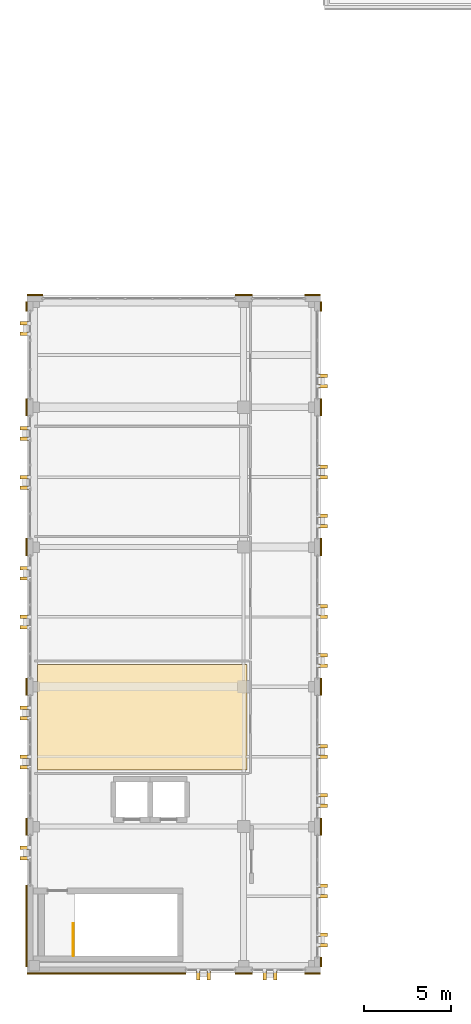
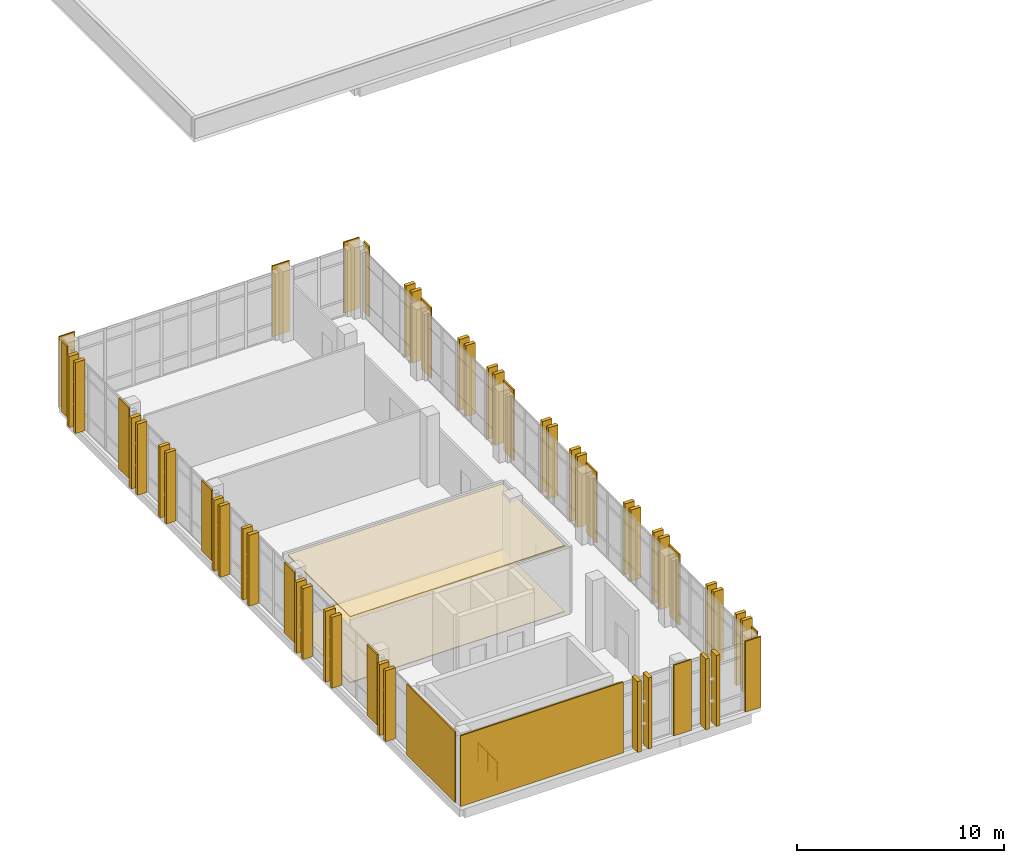
# One storey, part 42 of 48: 58 coverings, 1 railing.
"""IFC4 building model written with IfcOpenShell, lengths in metres."""

from ifc_helpers import new_model, si_unit, direction, frame, origin, origin_2d, place, context, subcontext, project, spatial, polyline, rectangle, circle, outline, extrude, material, layer, layer_set, type_object, element, save


model = new_model("IFC4")

# Units and contexts
model_context = context("Model", 3, precision=1e-05, world=origin(), true_north=direction((0.0, 1.0)))
body_context = subcontext(model_context, "Body", "Model", "MODEL_VIEW")
ifc_project = project(units=[si_unit("LENGTHUNIT", "METRE"), si_unit("AREAUNIT", "SQUARE_METRE"), si_unit("VOLUMEUNIT", "CUBIC_METRE"), si_unit("PLANEANGLEUNIT", "RADIAN"), si_unit("MASSUNIT", "GRAM", prefix="KILO")], contexts=[model_context])

# Site, building, storey
site_placement = place(None, origin())
site = spatial("IfcSite", under=ifc_project, at=site_placement, CompositionType="ELEMENT")
building_placement = place(site_placement, origin())
building = spatial("IfcBuilding", under=site, at=building_placement, Name="Qalavern Law Courts", CompositionType="ELEMENT")
storey_placement = place(building_placement, frame((0.0, 0.0, 31.199951171875)))
storey = spatial("IfcBuildingStorey", under=building, at=storey_placement, Name="L07", CompositionType="ELEMENT", Elevation=31.199951171875)

# Coverings
ifc_material_1 = material(Name="Precast concrete C40/50", Category="concrete")
ifc_layer_1 = layer(ifc_material_1, 0.199951171875)
ifc_layer_set_1 = layer_set([ifc_layer_1], Name="Precast concrete C40/50")
covering_type_1 = type_object("IfcCoveringType", Name="ENV-BLD-1", PredefinedType="CLADDING", material=ifc_layer_set_1)
for number, where, z_axis, x_axis, name in (
    (1, (11.800048828125, 40.887451171875, 0.005126953125), (0.0, 0.0, 1.0), (0.0, -1.0, 0.0), "Absheron stone facade blade 0497"),
    (2, (12.39990234375, 40.887451171875, 0.005126953125), (0.0, 0.0, 1.0), (0.0, -1.0, 0.0), "Absheron stone facade blade 0498"),
    (3, (15.60009765625, 40.887451171875, 0.005126953125), (0.0, 0.0, 1.0), (0.0, -1.0, 0.0), "Absheron stone facade blade 0499"),
    (4, (16.199951171875, 40.887451171875, 0.005126953125), (0.0, 0.0, 1.0), (0.0, -1.0, 0.0), "Absheron stone facade blade 0500"),
    (5, (18.9326171875, 42.6201171875, 0.005126953125), (0.0, 0.0, 1.0), (1.0, 0.0, 0.0), "Absheron stone facade blade 0501"),
    (6, (18.9326171875, 43.219970703125, 0.005126953125), (0.0, 0.0, 1.0), (1.0, 0.0, 0.0), "Absheron stone facade blade 0502"),
    (7, (18.9326171875, 45.419921875, 0.005126953125), (0.0, 0.0, 1.0), (1.0, 0.0, 0.0), "Absheron stone facade blade 0503"),
    (8, (18.9326171875, 46.02001953125, 0.005126953125), (0.0, 0.0, 1.0), (1.0, 0.0, 0.0), "Absheron stone facade blade 0504"),
    (9, (18.9326171875, 50.60009765625, 0.005126953125), (0.0, 0.0, 1.0), (1.0, 0.0, 0.0), "Absheron stone facade blade 0505"),
    (10, (18.9326171875, 51.199951171875, 0.005126953125), (0.0, 0.0, 1.0), (1.0, 0.0, 0.0), "Absheron stone facade blade 0506"),
    (11, (18.9326171875, 53.39990234375, 0.005126953125), (0.0, 0.0, 1.0), (1.0, 0.0, 0.0), "Absheron stone facade blade 0507"),
    (12, (18.9326171875, 54.0, 0.005126953125), (0.0, 0.0, 1.0), (1.0, 0.0, 0.0), "Absheron stone facade blade 0508"),
    (13, (18.9326171875, 58.60009765625, 0.005126953125), (0.0, 0.0, 1.0), (1.0, 0.0, 0.0), "Absheron stone facade blade 0509"),
    (14, (18.9326171875, 59.199951171875, 0.005126953125), (0.0, 0.0, 1.0), (1.0, 0.0, 0.0), "Absheron stone facade blade 0510"),
    (15, (18.9326171875, 61.39990234375, 0.005126953125), (0.0, 0.0, 1.0), (1.0, 0.0, 0.0), "Absheron stone facade blade 0511"),
    (16, (18.9326171875, 62.0, 0.005126953125), (0.0, 0.0, 1.0), (1.0, 0.0, 0.0), "Absheron stone facade blade 0512"),
    (17, (18.9326171875, 66.60009765625, 0.005126953125), (0.0, 0.0, 1.0), (1.0, 0.0, 0.0), "Absheron stone facade blade 0513"),
    (18, (18.9326171875, 67.199951171875, 0.005126953125), (0.0, 0.0, 1.0), (1.0, 0.0, 0.0), "Absheron stone facade blade 0514"),
    (19, (18.9326171875, 69.39990234375, 0.005126953125), (0.0, 0.0, 1.0), (1.0, 0.0, 0.0), "Absheron stone facade blade 0515"),
    (20, (18.9326171875, 70.0, 0.005126953125), (0.0, 0.0, 1.0), (1.0, 0.0, 0.0), "Absheron stone facade blade 0516"),
    (21, (18.9326171875, 74.60009765625, 0.005126953125), (0.0, 0.0, 1.0), (1.0, 0.0, 0.0), "Absheron stone facade blade 0517"),
    (22, (18.9326171875, 75.199951171875, 0.005126953125), (0.0, 0.0, 1.0), (1.0, 0.0, 0.0), "Absheron stone facade blade 0518"),
    (23, (1.867431640625, 78.199951171875, 0.005126953125), (0.0, 0.0, 1.0), (-1.0, 0.0, 0.0), "Absheron stone facade blade 0519"),
    (24, (1.867431640625, 77.60009765625, 0.005126953125), (0.0, 0.0, 1.0), (-1.0, 0.0, 0.0), "Absheron stone facade blade 0520"),
    (25, (1.867431640625, 72.199951171875, 0.005126953125), (0.0, 0.0, 1.0), (-1.0, 0.0, 0.0), "Absheron stone facade blade 0521"),
    (26, (1.867431640625, 71.60009765625, 0.005126953125), (0.0, 0.0, 1.0), (-1.0, 0.0, 0.0), "Absheron stone facade blade 0522"),
    (27, (1.867431640625, 69.39990234375, 0.005126953125), (0.0, 0.0, 1.0), (-1.0, 0.0, 0.0), "Absheron stone facade blade 0523"),
    (28, (1.867431640625, 68.800048828125, 0.005126953125), (0.0, 0.0, 1.0), (-1.0, 0.0, 0.0), "Absheron stone facade blade 0524"),
    (29, (1.867431640625, 64.199951171875, 0.005126953125), (0.0, 0.0, 1.0), (-1.0, 0.0, 0.0), "Absheron stone facade blade 0525"),
    (30, (1.867431640625, 63.60009765625, 0.005126953125), (0.0, 0.0, 1.0), (-1.0, 0.0, 0.0), "Absheron stone facade blade 0526"),
    (31, (1.867431640625, 61.39990234375, 0.005126953125), (0.0, 0.0, 1.0), (-1.0, 0.0, 0.0), "Absheron stone facade blade 0527"),
    (32, (1.867431640625, 60.800048828125, 0.005126953125), (0.0, 0.0, 1.0), (-1.0, 0.0, 0.0), "Absheron stone facade blade 0528"),
    (33, (1.867431640625, 56.199951171875, 0.005126953125), (0.0, 0.0, 1.0), (-1.0, 0.0, 0.0), "Absheron stone facade blade 0529"),
    (34, (1.867431640625, 55.60009765625, 0.005126953125), (0.0, 0.0, 1.0), (-1.0, 0.0, 0.0), "Absheron stone facade blade 0530"),
    (35, (1.867431640625, 53.39990234375, 0.005126953125), (0.0, 0.0, 1.0), (-1.0, 0.0, 0.0), "Absheron stone facade blade 0531"),
    (36, (1.867431640625, 52.800048828125, 0.005126953125), (0.0, 0.0, 1.0), (-1.0, 0.0, 0.0), "Absheron stone facade blade 0532"),
    (37, (1.867431640625, 48.199951171875, 0.005126953125), (0.0, 0.0, 1.0), (-1.0, 0.0, 0.0), "Absheron stone facade blade 0533"),
    (38, (1.867431640625, 47.60009765625, 0.005126953125), (0.0, 0.0, 1.0), (-1.0, 0.0, 0.0), "Absheron stone facade blade 0534"),
):
    element("IfcCovering", number, at=place(storey_placement, frame(where, z_axis=z_axis, x_axis=x_axis)), inside=storey, type_object=covering_type_1, Name=name, PredefinedType="CLADDING", context=body_context, shape_type="SweptSolid", body=[
        extrude(rectangle(XDim=0.5400390625, YDim=0.199951171875, at=origin_2d()), origin(), (0.0, 0.0, 1.0), 4.18994140625),
    ])
ifc_layer_2 = layer(ifc_material_1, 0.072021484375)
ifc_layer_set_2 = layer_set([ifc_layer_2], Name="Precast concrete C40/50")
covering_type_2 = type_object("IfcCoveringType", Name="ENV-CLD-2", PredefinedType="CLADDING", material=ifc_layer_set_2)
covering_1_placement = place(storey_placement, frame((6.550048828125, 40.987060546875, 0.01025390625), z_axis=(0.0, 0.0, 1.0), x_axis=(1.0, 0.0, 0.0)))
element("IfcCovering", 39, at=covering_1_placement, inside=storey, type_object=covering_type_2, Name="V3 Absheron limestone pier facing L07 south 1", PredefinedType="CLADDING", context=body_context, shape_type="SweptSolid", body=[
    extrude(rectangle(XDim=9.080078125, YDim=0.072021484375, at=origin_2d()), origin(), (0.0, 0.0, 1.0), 4.179931640625),
])
covering_2_placement = place(storey_placement, frame((14.39990234375, 40.987060546875, 0.01025390625), z_axis=(0.0, 0.0, 1.0), x_axis=(1.0, 0.0, 0.0)))
element("IfcCovering", 40, at=covering_2_placement, inside=storey, type_object=covering_type_2, Name="V3 Absheron limestone pier facing L07 south 2", PredefinedType="CLADDING", context=body_context, shape_type="SweptSolid", body=[
    extrude(rectangle(XDim=0.97998046875, YDim=0.072021484375, at=origin_2d()), origin(), (0.0, 0.0, 1.0), 4.179931640625),
])
covering_3_placement = place(storey_placement, frame((18.35009765625, 40.987060546875, 0.01025390625), z_axis=(0.0, 0.0, 1.0), x_axis=(1.0, 0.0, 0.0)))
element("IfcCovering", 41, at=covering_3_placement, inside=storey, type_object=covering_type_2, Name="V3 Absheron limestone pier facing L07 south 3", PredefinedType="CLADDING", context=body_context, shape_type="SweptSolid", body=[
    extrude(rectangle(XDim=0.8798828125, YDim=0.072021484375, at=origin_2d()), origin(), (0.0, 0.0, 1.0), 4.179931640625),
])
covering_4_placement = place(storey_placement, frame((18.8330078125, 41.64501953125, 0.01025390625), z_axis=(0.0, 0.0, 1.0), x_axis=(0.0, 1.0, 0.0)))
element("IfcCovering", 42, at=covering_4_placement, inside=storey, type_object=covering_type_2, Name="V3 Absheron limestone pier facing L07 east 1", PredefinedType="CLADDING", context=body_context, shape_type="SweptSolid", body=[
    extrude(rectangle(XDim=0.530029296875, YDim=0.072021484375, at=origin_2d()), origin(), (0.0, 0.0, 1.0), 4.179931640625),
])
for number, where, z_axis, x_axis, name in (
    (43, (18.8330078125, 49.39990234375, 0.01025390625), (0.0, 0.0, 1.0), (0.0, 1.0, 0.0), "V3 Absheron limestone pier facing L07 east 2"),
    (44, (18.8330078125, 57.39990234375, 0.01025390625), (0.0, 0.0, 1.0), (0.0, 1.0, 0.0), "V3 Absheron limestone pier facing L07 east 3"),
    (45, (18.8330078125, 65.39990234375, 0.01025390625), (0.0, 0.0, 1.0), (0.0, 1.0, 0.0), "V3 Absheron limestone pier facing L07 east 4"),
    (46, (18.8330078125, 73.39990234375, 0.01025390625), (0.0, 0.0, 1.0), (0.0, 1.0, 0.0), "V3 Absheron limestone pier facing L07 east 5"),
):
    element("IfcCovering", number, at=place(storey_placement, frame(where, z_axis=z_axis, x_axis=x_axis)), inside=storey, type_object=covering_type_2, Name=name, PredefinedType="CLADDING", context=body_context, shape_type="SweptSolid", body=[
        extrude(rectangle(XDim=0.97998046875, YDim=0.072021484375, at=origin_2d()), origin(), (0.0, 0.0, 1.0), 4.179931640625),
    ])
covering_5_placement = place(storey_placement, frame((18.8330078125, 79.175048828125, 0.01025390625), z_axis=(0.0, 0.0, 1.0), x_axis=(0.0, 1.0, 0.0)))
element("IfcCovering", 47, at=covering_5_placement, inside=storey, type_object=covering_type_2, Name="V3 Absheron limestone pier facing L07 east 6", PredefinedType="CLADDING", context=body_context, shape_type="SweptSolid", body=[
    extrude(rectangle(XDim=0.530029296875, YDim=0.072021484375, at=origin_2d()), origin(), (0.0, 0.0, 1.0), 4.179931640625),
])
covering_6_placement = place(storey_placement, frame((18.35009765625, 79.8330078125, 0.01025390625), z_axis=(0.0, 0.0, 1.0), x_axis=(-1.0, 0.0, 0.0)))
element("IfcCovering", 48, at=covering_6_placement, inside=storey, type_object=covering_type_2, Name="V3 Absheron limestone pier facing L07 north 1", PredefinedType="CLADDING", context=body_context, shape_type="SweptSolid", body=[
    extrude(rectangle(XDim=0.8798828125, YDim=0.072021484375, at=origin_2d()), origin(), (0.0, 0.0, 1.0), 4.179931640625),
])
covering_7_placement = place(storey_placement, frame((14.39990234375, 79.8330078125, 0.01025390625), z_axis=(0.0, 0.0, 1.0), x_axis=(-1.0, 0.0, 0.0)))
element("IfcCovering", 49, at=covering_7_placement, inside=storey, type_object=covering_type_2, Name="V3 Absheron limestone pier facing L07 north 2", PredefinedType="CLADDING", context=body_context, shape_type="SweptSolid", body=[
    extrude(rectangle(XDim=0.97998046875, YDim=0.072021484375, at=origin_2d()), origin(), (0.0, 0.0, 1.0), 4.179931640625),
])
covering_8_placement = place(storey_placement, frame((2.449951171875, 79.8330078125, 0.01025390625), z_axis=(0.0, 0.0, 1.0), x_axis=(-1.0, 0.0, 0.0)))
element("IfcCovering", 50, at=covering_8_placement, inside=storey, type_object=covering_type_2, Name="V3 Absheron limestone pier facing L07 north 3", PredefinedType="CLADDING", context=body_context, shape_type="SweptSolid", body=[
    extrude(rectangle(XDim=0.8798828125, YDim=0.072021484375, at=origin_2d()), origin(), (0.0, 0.0, 1.0), 4.179931640625),
])
covering_9_placement = place(storey_placement, frame((1.967041015625, 79.175048828125, 0.01025390625), z_axis=(0.0, 0.0, 1.0), x_axis=(0.0, -1.0, 0.0)))
element("IfcCovering", 51, at=covering_9_placement, inside=storey, type_object=covering_type_2, Name="V3 Absheron limestone pier facing L07 west 1", PredefinedType="CLADDING", context=body_context, shape_type="SweptSolid", body=[
    extrude(rectangle(XDim=0.530029296875, YDim=0.072021484375, at=origin_2d()), origin(), (0.0, 0.0, 1.0), 4.179931640625),
])
for number, where, z_axis, x_axis, name in (
    (52, (1.967041015625, 73.39990234375, 0.01025390625), (0.0, 0.0, 1.0), (0.0, -1.0, 0.0), "V3 Absheron limestone pier facing L07 west 2"),
    (53, (1.967041015625, 65.39990234375, 0.01025390625), (0.0, 0.0, 1.0), (0.0, -1.0, 0.0), "V3 Absheron limestone pier facing L07 west 3"),
    (54, (1.967041015625, 57.39990234375, 0.01025390625), (0.0, 0.0, 1.0), (0.0, -1.0, 0.0), "V3 Absheron limestone pier facing L07 west 4"),
    (55, (1.967041015625, 49.39990234375, 0.01025390625), (0.0, 0.0, 1.0), (0.0, -1.0, 0.0), "V3 Absheron limestone pier facing L07 west 5"),
):
    element("IfcCovering", number, at=place(storey_placement, frame(where, z_axis=z_axis, x_axis=x_axis)), inside=storey, type_object=covering_type_2, Name=name, PredefinedType="CLADDING", context=body_context, shape_type="SweptSolid", body=[
        extrude(rectangle(XDim=0.97998046875, YDim=0.072021484375, at=origin_2d()), origin(), (0.0, 0.0, 1.0), 4.179931640625),
    ])
covering_10_placement = place(storey_placement, frame((1.967041015625, 43.7099609375, 0.01025390625), z_axis=(0.0, 0.0, 1.0), x_axis=(0.0, -1.0, 0.0)))
element("IfcCovering", 56, at=covering_10_placement, inside=storey, type_object=covering_type_2, Name="V3 Absheron limestone pier facing L07 west 6", PredefinedType="CLADDING", context=body_context, shape_type="SweptSolid", body=[
    extrude(rectangle(XDim=4.659912109375, YDim=0.072021484375, at=origin_2d()), origin(), (0.0, 0.0, 1.0), 4.179931640625),
])
ifc_material_2 = material(Name="Slatted oak acoustic timber baffle ceiling", Category="wood")
ifc_layer_3 = layer(ifc_material_2, 0.055908203125)
ifc_layer_set_3 = layer_set([ifc_layer_3], Name="Slatted oak acoustic timber baffle ceiling")
covering_type_3 = type_object("IfcCoveringType", Name="INT-CEIL-3", PredefinedType="CEILING", material=ifc_layer_set_3)
covering_11_placement = place(storey_placement, frame((0.0, 0.0, 3.884033203125)))
element("IfcCovering", 57, at=covering_11_placement, inside=storey, type_object=covering_type_3, Name="Senior Trial Judges' Chambers acoustic ceiling L07", PredefinedType="CEILING", context=body_context, shape_type="SweptSolid", body=[
    extrude(outline(polyline([(2.590087890625, 52.64990234375), (14.580078125, 52.64990234375), (14.580078125, 58.669921875), (2.590087890625, 58.669921875), (2.590087890625, 52.64990234375)])), origin(), (0.0, 0.0, 1.0), 0.055908203125),
])
ifc_material_3 = material(Name="Acoustic engineered oak courtroom flooring")
ifc_layer_4 = layer(ifc_material_3, 0.0380859375)
ifc_layer_set_4 = layer_set([ifc_layer_4], Name="Acoustic engineered oak courtroom flooring")
covering_type_4 = type_object("IfcCoveringType", Name="INT-FLR-3", PredefinedType="FLOORING", material=ifc_layer_set_4)
covering_12_placement = place(storey_placement, origin())
element("IfcCovering", 58, at=covering_12_placement, inside=storey, type_object=covering_type_4, Name="Senior Trial Judges' Chambers finish flooring L07", PredefinedType="FLOORING", context=body_context, shape_type="SweptSolid", body=[
    extrude(outline(polyline([(2.590087890625, 52.64990234375), (14.580078125, 52.64990234375), (14.580078125, 58.669921875), (2.590087890625, 58.669921875), (2.590087890625, 52.64990234375)])), origin(), (0.0, 0.0, 1.0), 0.0380859375),
])

# Railing
ifc_material_4 = material(Name="Steel S355", Category="steel")
railing_type = type_object("IfcRailingType", Name="INT-GUARD-1120", PredefinedType="BALUSTRADE", material=ifc_material_4)
railing_placement = place(storey_placement, frame((4.64990234375, 42.0, 0.0)))
element("IfcRailing", 59, at=railing_placement, inside=storey, type_object=railing_type, Name="L07 ST-K2 top well guard 1", PredefinedType="BALUSTRADE", context=body_context, shape_type="SweptSolid", body=[
    extrude(circle(Radius=0.02392578125, at=origin_2d()), frame((0.0, 0.0, 1.09619140625), z_axis=(0.0, 1.0, 0.0), x_axis=(-1.0, 0.0, 0.0)), (0.0, 0.0, 1.0), 1.85009765625),
    extrude(circle(Radius=0.02099609375, at=origin_2d()), origin(), (0.0, 0.0, 1.0), 1.072021484375),
    extrude(circle(Radius=0.02099609375, at=origin_2d()), frame((0.0, 0.925048828125, 0.0)), (0.0, 0.0, 1.0), 1.072021484375),
    extrude(circle(Radius=0.02099609375, at=origin_2d()), frame((0.0, 1.85009765625, 0.0)), (0.0, 0.0, 1.0), 1.072021484375),
])

save(model, "model.ifc")
